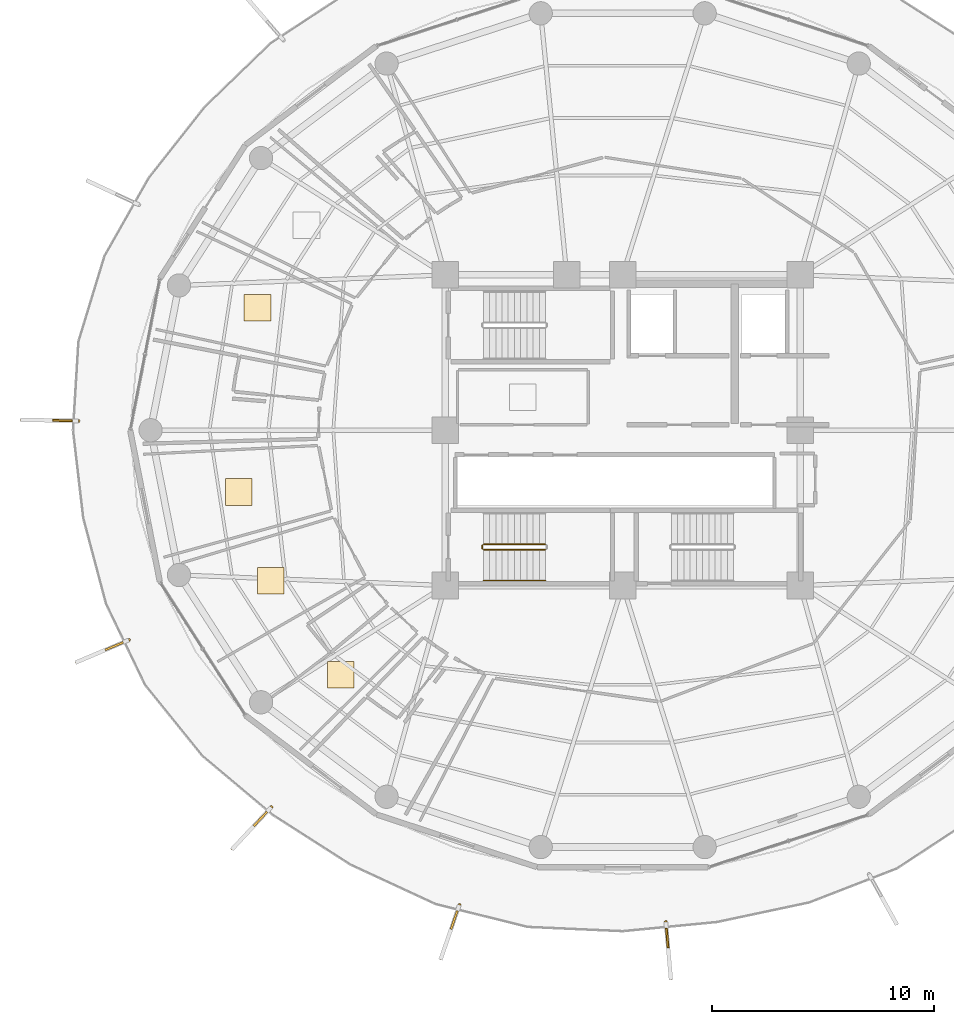
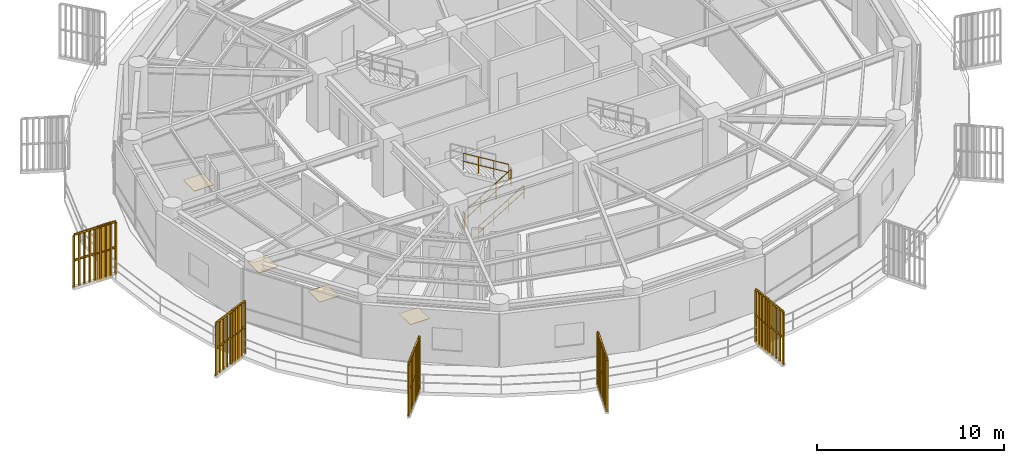
# One storey, part 27 of 30: 9 railings, 5 shading devices, 4 coverings.
"""IFC4 building model written with IfcOpenShell, lengths in metres."""

from ifc_helpers import new_model, si_unit, direction, frame, origin, origin_2d, place, context, subcontext, project, spatial, polyline, rectangle, outline, extrude, source, transform, mapped, material, layer, layer_set, type_object, element, save


model = new_model("IFC4")

# Units and contexts
model_context = context("Model", 3, precision=1e-05, world=origin(), true_north=direction((0.0, 1.0)))
body_context = subcontext(model_context, "Body", "Model", "MODEL_VIEW")
ifc_project = project(units=[si_unit("LENGTHUNIT", "METRE"), si_unit("AREAUNIT", "SQUARE_METRE"), si_unit("VOLUMEUNIT", "CUBIC_METRE"), si_unit("PLANEANGLEUNIT", "RADIAN"), si_unit("MASSUNIT", "GRAM", prefix="KILO")], contexts=[model_context])

# Site, building, storey
site_placement = place(None, origin())
site = spatial("IfcSite", under=ifc_project, at=site_placement, CompositionType="ELEMENT")
building_placement = place(site_placement, origin())
building = spatial("IfcBuilding", under=site, at=building_placement, Name="Kelanora Arch Commons", CompositionType="ELEMENT")
storey_placement = place(building_placement, frame((0.0, 0.0, 204.449951171875)))
storey = spatial("IfcBuildingStorey", under=building, at=storey_placement, Name="L52", CompositionType="ELEMENT", Elevation=204.449951171875)

# Railings
ifc_material_1 = material(Name="Anodised bronze vertical shading fin rib assembly")
railing_type_1 = type_object("IfcRailingType", Name="RAIL-FIN-BRZ", PredefinedType="BALUSTRADE", material=ifc_material_1)
railing_1_placement = place(storey_placement, frame((49.4697265625, 58.421875, -0.02001953125)))
element("IfcRailing", 1, at=railing_1_placement, inside=storey, type_object=railing_type_1, Name="Sweeping Bronze Vertical Fin Blade L52-09", PredefinedType="BALUSTRADE", context=body_context, shape_type="SweptSolid", body=[
    extrude(outline(polyline([(0.06982421875, 0.0), (0.034912109375, 0.060546875), (-0.034912109375, 0.060546875), (-0.06982421875, 0.0), (-0.034912109375, -0.060546875), (0.034912109375, -0.060546875), (0.06982421875, 0.0)])), frame((0.0, 0.0, 3.419921875), z_axis=(-0.999852109527, 0.017197647369, 0.0), x_axis=(-0.017197647369, -0.999852109527, 0.0)), (0.0, 0.0, 1.0), 2.555419921875),
    extrude(outline(polyline([(0.06982421875, 0.0), (0.034912109375, 0.060546875), (-0.034912109375, 0.060546875), (-0.06982421875, 0.0), (-0.034912109375, -0.060546875), (0.034912109375, -0.060546875), (0.06982421875, 0.0)])), frame((0.0, 0.0, 1.7451171875), z_axis=(-0.999852109527, 0.017197647369, 0.0), x_axis=(-0.017197647369, -0.999852109527, 0.0)), (0.0, 0.0, 1.0), 2.555419921875),
    extrude(outline(polyline([(0.080078125, 0.0), (0.0400390625, 0.0693359375), (-0.0400390625, 0.0693359375), (-0.080078125, 0.0), (-0.0400390625, -0.0693359375), (0.0400390625, -0.0693359375), (0.080078125, 0.0)])), origin(), (0.0, 0.0, 1.0), 3.35009765625),
    extrude(outline(polyline([(0.080078125, 0.0), (0.0400390625, 0.0693359375), (-0.0400390625, 0.0693359375), (-0.080078125, 0.0), (-0.0400390625, -0.0693359375), (0.0400390625, -0.0693359375), (0.080078125, 0.0)])), frame((-0.3193359375, 0.00537109375, 0.0)), (0.0, 0.0, 1.0), 3.35009765625),
    extrude(outline(polyline([(0.080078125, 0.0), (0.0400390625, 0.0693359375), (-0.0400390625, 0.0693359375), (-0.080078125, 0.0), (-0.0400390625, -0.0693359375), (0.0400390625, -0.0693359375), (0.080078125, 0.0)])), frame((-0.638671875, 0.010986328125, 0.0)), (0.0, 0.0, 1.0), 3.35009765625),
    extrude(outline(polyline([(0.080078125, 0.0), (0.0400390625, 0.0693359375), (-0.0400390625, 0.0693359375), (-0.080078125, 0.0), (-0.0400390625, -0.0693359375), (0.0400390625, -0.0693359375), (0.080078125, 0.0)])), frame((-0.9580078125, 0.0166015625, 0.0)), (0.0, 0.0, 1.0), 3.35009765625),
    extrude(outline(polyline([(0.080078125, 0.0), (0.0400390625, 0.0693359375), (-0.0400390625, 0.0693359375), (-0.080078125, 0.0), (-0.0400390625, -0.0693359375), (0.0400390625, -0.0693359375), (0.080078125, 0.0)])), frame((-1.27734375, 0.02197265625, 0.0)), (0.0, 0.0, 1.0), 3.35009765625),
    extrude(outline(polyline([(0.080078125, 0.0), (0.0400390625, 0.0693359375), (-0.0400390625, 0.0693359375), (-0.080078125, 0.0), (-0.0400390625, -0.0693359375), (0.0400390625, -0.0693359375), (0.080078125, 0.0)])), frame((-1.596923828125, 0.02734375, 0.0)), (0.0, 0.0, 1.0), 3.35009765625),
    extrude(outline(polyline([(0.080078125, 0.0), (0.0400390625, 0.0693359375), (-0.0400390625, 0.0693359375), (-0.080078125, 0.0), (-0.0400390625, -0.0693359375), (0.0400390625, -0.0693359375), (0.080078125, 0.0)])), frame((-1.916259765625, 0.032958984375, 0.0)), (0.0, 0.0, 1.0), 3.35009765625),
    extrude(outline(polyline([(0.080078125, 0.0), (0.0400390625, 0.0693359375), (-0.0400390625, 0.0693359375), (-0.080078125, 0.0), (-0.0400390625, -0.0693359375), (0.0400390625, -0.0693359375), (0.080078125, 0.0)])), frame((-2.235595703125, 0.03857421875, 0.0)), (0.0, 0.0, 1.0), 3.35009765625),
    extrude(outline(polyline([(0.080078125, 0.0), (0.0400390625, 0.0693359375), (-0.0400390625, 0.0693359375), (-0.080078125, 0.0), (-0.0400390625, -0.0693359375), (0.0400390625, -0.0693359375), (0.080078125, 0.0)])), frame((-2.554931640625, 0.0439453125, 0.0)), (0.0, 0.0, 1.0), 3.35009765625),
])
railing_2_placement = place(storey_placement, frame((51.74267578125, 48.54541015625, -0.02001953125)))
element("IfcRailing", 2, at=railing_2_placement, inside=storey, type_object=railing_type_1, Name="Sweeping Bronze Vertical Fin Blade L52-10", PredefinedType="BALUSTRADE", context=body_context, shape_type="SweptSolid", body=[
    extrude(outline(polyline([(0.06982421875, 0.0), (0.034912109375, 0.060546875), (-0.034912109375, 0.060546875), (-0.06982421875, 0.0), (-0.034912109375, -0.060546875), (0.034912109375, -0.060546875), (0.06982421875, 0.0)])), frame((0.0, 0.0, 3.419921875), z_axis=(-0.920415156853, -0.390942373037, 0.0), x_axis=(0.390942373037, -0.920415156853, 0.0)), (0.0, 0.0, 1.0), 2.555419921875),
    extrude(outline(polyline([(0.06982421875, 0.0), (0.034912109375, 0.060546875), (-0.034912109375, 0.060546875), (-0.06982421875, 0.0), (-0.034912109375, -0.060546875), (0.034912109375, -0.060546875), (0.06982421875, 0.0)])), frame((0.0, 0.0, 1.7451171875), z_axis=(-0.920415156853, -0.390942373037, 0.0), x_axis=(0.390942373037, -0.920415156853, 0.0)), (0.0, 0.0, 1.0), 2.555419921875),
    extrude(outline(polyline([(0.080078125, 0.0), (0.0400390625, 0.0693359375), (-0.0400390625, 0.0693359375), (-0.080078125, 0.0), (-0.0400390625, -0.0693359375), (0.0400390625, -0.0693359375), (0.080078125, 0.0)])), origin(), (0.0, 0.0, 1.0), 3.35009765625),
    extrude(outline(polyline([(0.080078125, 0.0), (0.0400390625, 0.0693359375), (-0.0400390625, 0.0693359375), (-0.080078125, 0.0), (-0.0400390625, -0.0693359375), (0.0400390625, -0.0693359375), (0.080078125, 0.0)])), frame((-0.2939453125, -0.125, 0.0)), (0.0, 0.0, 1.0), 3.35009765625),
    extrude(outline(polyline([(0.080078125, 0.0), (0.0400390625, 0.0693359375), (-0.0400390625, 0.0693359375), (-0.080078125, 0.0), (-0.0400390625, -0.0693359375), (0.0400390625, -0.0693359375), (0.080078125, 0.0)])), frame((-0.587890625, -0.249755859375, 0.0)), (0.0, 0.0, 1.0), 3.35009765625),
    extrude(outline(polyline([(0.080078125, 0.0), (0.0400390625, 0.0693359375), (-0.0400390625, 0.0693359375), (-0.080078125, 0.0), (-0.0400390625, -0.0693359375), (0.0400390625, -0.0693359375), (0.080078125, 0.0)])), frame((-0.882080078125, -0.37451171875, 0.0)), (0.0, 0.0, 1.0), 3.35009765625),
    extrude(outline(polyline([(0.080078125, 0.0), (0.0400390625, 0.0693359375), (-0.0400390625, 0.0693359375), (-0.080078125, 0.0), (-0.0400390625, -0.0693359375), (0.0400390625, -0.0693359375), (0.080078125, 0.0)])), frame((-1.176025390625, -0.49951171875, 0.0)), (0.0, 0.0, 1.0), 3.35009765625),
    extrude(outline(polyline([(0.080078125, 0.0), (0.0400390625, 0.0693359375), (-0.0400390625, 0.0693359375), (-0.080078125, 0.0), (-0.0400390625, -0.0693359375), (0.0400390625, -0.0693359375), (0.080078125, 0.0)])), frame((-1.469970703125, -0.62451171875, 0.0)), (0.0, 0.0, 1.0), 3.35009765625),
    extrude(outline(polyline([(0.080078125, 0.0), (0.0400390625, 0.0693359375), (-0.0400390625, 0.0693359375), (-0.080078125, 0.0), (-0.0400390625, -0.0693359375), (0.0400390625, -0.0693359375), (0.080078125, 0.0)])), frame((-1.76416015625, -0.749267578125, 0.0)), (0.0, 0.0, 1.0), 3.35009765625),
    extrude(outline(polyline([(0.080078125, 0.0), (0.0400390625, 0.0693359375), (-0.0400390625, 0.0693359375), (-0.080078125, 0.0), (-0.0400390625, -0.0693359375), (0.0400390625, -0.0693359375), (0.080078125, 0.0)])), frame((-2.05810546875, -0.8740234375, 0.0)), (0.0, 0.0, 1.0), 3.35009765625),
    extrude(outline(polyline([(0.080078125, 0.0), (0.0400390625, 0.0693359375), (-0.0400390625, 0.0693359375), (-0.080078125, 0.0), (-0.0400390625, -0.0693359375), (0.0400390625, -0.0693359375), (0.080078125, 0.0)])), frame((-2.35205078125, -0.9990234375, 0.0)), (0.0, 0.0, 1.0), 3.35009765625),
])
railing_3_placement = place(storey_placement, frame((58.1611328125, 41.006103515625, -0.02001953125)))
element("IfcRailing", 3, at=railing_3_placement, inside=storey, type_object=railing_type_1, Name="Sweeping Bronze Vertical Fin Blade L52-11", PredefinedType="BALUSTRADE", context=body_context, shape_type="SweptSolid", body=[
    extrude(outline(polyline([(0.06982421875, 0.0), (0.034912109375, 0.060546875), (-0.034912109375, 0.060546875), (-0.06982421875, 0.0), (-0.034912109375, -0.060546875), (0.034912109375, -0.060546875), (0.06982421875, 0.0)])), frame((0.0, 0.0, 3.419921875), z_axis=(-0.681831348549, -0.731509406731, 0.0), x_axis=(0.731509406731, -0.681831348549, 0.0)), (0.0, 0.0, 1.0), 2.555419921875),
    extrude(outline(polyline([(0.06982421875, 0.0), (0.034912109375, 0.060546875), (-0.034912109375, 0.060546875), (-0.06982421875, 0.0), (-0.034912109375, -0.060546875), (0.034912109375, -0.060546875), (0.06982421875, 0.0)])), frame((0.0, 0.0, 1.7451171875), z_axis=(-0.681831348549, -0.731509406731, 0.0), x_axis=(0.731509406731, -0.681831348549, 0.0)), (0.0, 0.0, 1.0), 2.555419921875),
    extrude(outline(polyline([(0.080078125, 0.0), (0.0400390625, 0.0693359375), (-0.0400390625, 0.0693359375), (-0.080078125, 0.0), (-0.0400390625, -0.0693359375), (0.0400390625, -0.0693359375), (0.080078125, 0.0)])), origin(), (0.0, 0.0, 1.0), 3.35009765625),
    extrude(outline(polyline([(0.080078125, 0.0), (0.0400390625, 0.0693359375), (-0.0400390625, 0.0693359375), (-0.080078125, 0.0), (-0.0400390625, -0.0693359375), (0.0400390625, -0.0693359375), (0.080078125, 0.0)])), frame((-0.2177734375, -0.233642578125, 0.0)), (0.0, 0.0, 1.0), 3.35009765625),
    extrude(outline(polyline([(0.080078125, 0.0), (0.0400390625, 0.0693359375), (-0.0400390625, 0.0693359375), (-0.080078125, 0.0), (-0.0400390625, -0.0693359375), (0.0400390625, -0.0693359375), (0.080078125, 0.0)])), frame((-0.435546875, -0.46728515625, 0.0)), (0.0, 0.0, 1.0), 3.35009765625),
    extrude(outline(polyline([(0.080078125, 0.0), (0.0400390625, 0.0693359375), (-0.0400390625, 0.0693359375), (-0.080078125, 0.0), (-0.0400390625, -0.0693359375), (0.0400390625, -0.0693359375), (0.080078125, 0.0)])), frame((-0.6533203125, -0.700927734375, 0.0)), (0.0, 0.0, 1.0), 3.35009765625),
    extrude(outline(polyline([(0.080078125, 0.0), (0.0400390625, 0.0693359375), (-0.0400390625, 0.0693359375), (-0.080078125, 0.0), (-0.0400390625, -0.0693359375), (0.0400390625, -0.0693359375), (0.080078125, 0.0)])), frame((-0.87109375, -0.9345703125, 0.0)), (0.0, 0.0, 1.0), 3.35009765625),
    extrude(outline(polyline([(0.080078125, 0.0), (0.0400390625, 0.0693359375), (-0.0400390625, 0.0693359375), (-0.080078125, 0.0), (-0.0400390625, -0.0693359375), (0.0400390625, -0.0693359375), (0.080078125, 0.0)])), frame((-1.089111328125, -1.16845703125, 0.0)), (0.0, 0.0, 1.0), 3.35009765625),
    extrude(outline(polyline([(0.080078125, 0.0), (0.0400390625, 0.0693359375), (-0.0400390625, 0.0693359375), (-0.080078125, 0.0), (-0.0400390625, -0.0693359375), (0.0400390625, -0.0693359375), (0.080078125, 0.0)])), frame((-1.306884765625, -1.402099609375, 0.0)), (0.0, 0.0, 1.0), 3.35009765625),
    extrude(outline(polyline([(0.080078125, 0.0), (0.0400390625, 0.0693359375), (-0.0400390625, 0.0693359375), (-0.080078125, 0.0), (-0.0400390625, -0.0693359375), (0.0400390625, -0.0693359375), (0.080078125, 0.0)])), frame((-1.524658203125, -1.6357421875, 0.0)), (0.0, 0.0, 1.0), 3.35009765625),
    extrude(outline(polyline([(0.080078125, 0.0), (0.0400390625, 0.0693359375), (-0.0400390625, 0.0693359375), (-0.080078125, 0.0), (-0.0400390625, -0.0693359375), (0.0400390625, -0.0693359375), (0.080078125, 0.0)])), frame((-1.742431640625, -1.869384765625, 0.0)), (0.0, 0.0, 1.0), 3.35009765625),
])
railing_4_placement = place(storey_placement, frame((66.6396484375, 36.60595703125, -0.02001953125)))
element("IfcRailing", 4, at=railing_4_placement, inside=storey, type_object=railing_type_1, Name="Sweeping Bronze Vertical Fin Blade L52-12", PredefinedType="BALUSTRADE", context=body_context, shape_type="SweptSolid", body=[
    extrude(outline(polyline([(0.06982421875, 0.0), (0.034912109375, 0.060546875), (-0.034912109375, 0.060546875), (-0.06982421875, 0.0), (-0.034912109375, -0.060546875), (0.034912109375, -0.060546875), (0.06982421875, 0.0)])), frame((0.0, 0.0, 3.419921875), z_axis=(-0.325298699013, -0.945611313606, 0.0), x_axis=(0.945611313606, -0.325298699013, 0.0)), (0.0, 0.0, 1.0), 2.555419921875),
    extrude(outline(polyline([(0.06982421875, 0.0), (0.034912109375, 0.060546875), (-0.034912109375, 0.060546875), (-0.06982421875, 0.0), (-0.034912109375, -0.060546875), (0.034912109375, -0.060546875), (0.06982421875, 0.0)])), frame((0.0, 0.0, 1.7451171875), z_axis=(-0.325298699013, -0.945611313606, 0.0), x_axis=(0.945611313606, -0.325298699013, 0.0)), (0.0, 0.0, 1.0), 2.555419921875),
    extrude(outline(polyline([(0.080078125, 0.0), (0.0400390625, 0.0693359375), (-0.0400390625, 0.0693359375), (-0.080078125, 0.0), (-0.0400390625, -0.0693359375), (0.0400390625, -0.0693359375), (0.080078125, 0.0)])), origin(), (0.0, 0.0, 1.0), 3.35009765625),
    extrude(outline(polyline([(0.080078125, 0.0), (0.0400390625, 0.0693359375), (-0.0400390625, 0.0693359375), (-0.080078125, 0.0), (-0.0400390625, -0.0693359375), (0.0400390625, -0.0693359375), (0.080078125, 0.0)])), frame((-0.10400390625, -0.302001953125, 0.0)), (0.0, 0.0, 1.0), 3.35009765625),
    extrude(outline(polyline([(0.080078125, 0.0), (0.0400390625, 0.0693359375), (-0.0400390625, 0.0693359375), (-0.080078125, 0.0), (-0.0400390625, -0.0693359375), (0.0400390625, -0.0693359375), (0.080078125, 0.0)])), frame((-0.207763671875, -0.60400390625, 0.0)), (0.0, 0.0, 1.0), 3.35009765625),
    extrude(outline(polyline([(0.080078125, 0.0), (0.0400390625, 0.0693359375), (-0.0400390625, 0.0693359375), (-0.080078125, 0.0), (-0.0400390625, -0.0693359375), (0.0400390625, -0.0693359375), (0.080078125, 0.0)])), frame((-0.311767578125, -0.90625, 0.0)), (0.0, 0.0, 1.0), 3.35009765625),
    extrude(outline(polyline([(0.080078125, 0.0), (0.0400390625, 0.0693359375), (-0.0400390625, 0.0693359375), (-0.080078125, 0.0), (-0.0400390625, -0.0693359375), (0.0400390625, -0.0693359375), (0.080078125, 0.0)])), frame((-0.41552734375, -1.208251953125, 0.0)), (0.0, 0.0, 1.0), 3.35009765625),
    extrude(outline(polyline([(0.080078125, 0.0), (0.0400390625, 0.0693359375), (-0.0400390625, 0.0693359375), (-0.080078125, 0.0), (-0.0400390625, -0.0693359375), (0.0400390625, -0.0693359375), (0.080078125, 0.0)])), frame((-0.51953125, -1.51025390625, 0.0)), (0.0, 0.0, 1.0), 3.35009765625),
    extrude(outline(polyline([(0.080078125, 0.0), (0.0400390625, 0.0693359375), (-0.0400390625, 0.0693359375), (-0.080078125, 0.0), (-0.0400390625, -0.0693359375), (0.0400390625, -0.0693359375), (0.080078125, 0.0)])), frame((-0.62353515625, -1.8125, 0.0)), (0.0, 0.0, 1.0), 3.35009765625),
    extrude(outline(polyline([(0.080078125, 0.0), (0.0400390625, 0.0693359375), (-0.0400390625, 0.0693359375), (-0.080078125, 0.0), (-0.0400390625, -0.0693359375), (0.0400390625, -0.0693359375), (0.080078125, 0.0)])), frame((-0.727294921875, -2.114501953125, 0.0)), (0.0, 0.0, 1.0), 3.35009765625),
    extrude(outline(polyline([(0.080078125, 0.0), (0.0400390625, 0.0693359375), (-0.0400390625, 0.0693359375), (-0.080078125, 0.0), (-0.0400390625, -0.0693359375), (0.0400390625, -0.0693359375), (0.080078125, 0.0)])), frame((-0.831298828125, -2.41650390625, 0.0)), (0.0, 0.0, 1.0), 3.35009765625),
])
railing_5_placement = place(storey_placement, frame((75.945068359375, 35.833740234375, -0.02001953125)))
element("IfcRailing", 5, at=railing_5_placement, inside=storey, type_object=railing_type_1, Name="Sweeping Bronze Vertical Fin Blade L52-13", PredefinedType="BALUSTRADE", context=body_context, shape_type="SweptSolid", body=[
    extrude(outline(polyline([(0.06982421875, 0.0), (0.034912109375, 0.060546875), (-0.034912109375, 0.060546875), (-0.06982421875, 0.0), (-0.034912109375, -0.060546875), (0.034912109375, -0.060546875), (0.06982421875, 0.0)])), frame((0.0, 0.0, 3.419921875), z_axis=(0.087417013702, -0.99617180532, 0.0), x_axis=(0.99617180532, 0.087417013702, 0.0)), (0.0, 0.0, 1.0), 2.555419921875),
    extrude(outline(polyline([(0.06982421875, 0.0), (0.034912109375, 0.060546875), (-0.034912109375, 0.060546875), (-0.06982421875, 0.0), (-0.034912109375, -0.060546875), (0.034912109375, -0.060546875), (0.06982421875, 0.0)])), frame((0.0, 0.0, 1.7451171875), z_axis=(0.087417013702, -0.99617180532, 0.0), x_axis=(0.99617180532, 0.087417013702, 0.0)), (0.0, 0.0, 1.0), 2.555419921875),
    extrude(outline(polyline([(0.080078125, 0.0), (0.0400390625, 0.0693359375), (-0.0400390625, 0.0693359375), (-0.080078125, 0.0), (-0.0400390625, -0.0693359375), (0.0400390625, -0.0693359375), (0.080078125, 0.0)])), origin(), (0.0, 0.0, 1.0), 3.35009765625),
    extrude(outline(polyline([(0.080078125, 0.0), (0.0400390625, 0.0693359375), (-0.0400390625, 0.0693359375), (-0.080078125, 0.0), (-0.0400390625, -0.0693359375), (0.0400390625, -0.0693359375), (0.080078125, 0.0)])), frame((0.02783203125, -0.318115234375, 0.0)), (0.0, 0.0, 1.0), 3.35009765625),
    extrude(outline(polyline([(0.080078125, 0.0), (0.0400390625, 0.0693359375), (-0.0400390625, 0.0693359375), (-0.080078125, 0.0), (-0.0400390625, -0.0693359375), (0.0400390625, -0.0693359375), (0.080078125, 0.0)])), frame((0.055908203125, -0.636474609375, 0.0)), (0.0, 0.0, 1.0), 3.35009765625),
    extrude(outline(polyline([(0.080078125, 0.0), (0.0400390625, 0.0693359375), (-0.0400390625, 0.0693359375), (-0.080078125, 0.0), (-0.0400390625, -0.0693359375), (0.0400390625, -0.0693359375), (0.080078125, 0.0)])), frame((0.083740234375, -0.95458984375, 0.0)), (0.0, 0.0, 1.0), 3.35009765625),
    extrude(outline(polyline([(0.080078125, 0.0), (0.0400390625, 0.0693359375), (-0.0400390625, 0.0693359375), (-0.080078125, 0.0), (-0.0400390625, -0.0693359375), (0.0400390625, -0.0693359375), (0.080078125, 0.0)])), frame((0.11181640625, -1.27294921875, 0.0)), (0.0, 0.0, 1.0), 3.35009765625),
    extrude(outline(polyline([(0.080078125, 0.0), (0.0400390625, 0.0693359375), (-0.0400390625, 0.0693359375), (-0.080078125, 0.0), (-0.0400390625, -0.0693359375), (0.0400390625, -0.0693359375), (0.080078125, 0.0)])), frame((0.1396484375, -1.591064453125, 0.0)), (0.0, 0.0, 1.0), 3.35009765625),
    extrude(outline(polyline([(0.080078125, 0.0), (0.0400390625, 0.0693359375), (-0.0400390625, 0.0693359375), (-0.080078125, 0.0), (-0.0400390625, -0.0693359375), (0.0400390625, -0.0693359375), (0.080078125, 0.0)])), frame((0.16748046875, -1.9091796875, 0.0)), (0.0, 0.0, 1.0), 3.35009765625),
    extrude(outline(polyline([(0.080078125, 0.0), (0.0400390625, 0.0693359375), (-0.0400390625, 0.0693359375), (-0.080078125, 0.0), (-0.0400390625, -0.0693359375), (0.0400390625, -0.0693359375), (0.080078125, 0.0)])), frame((0.195556640625, -2.2275390625, 0.0)), (0.0, 0.0, 1.0), 3.35009765625),
    extrude(outline(polyline([(0.080078125, 0.0), (0.0400390625, 0.0693359375), (-0.0400390625, 0.0693359375), (-0.080078125, 0.0), (-0.0400390625, -0.0693359375), (0.0400390625, -0.0693359375), (0.080078125, 0.0)])), frame((0.223388671875, -2.545654296875, 0.0)), (0.0, 0.0, 1.0), 3.35009765625),
])
ifc_material_2 = material(Name="Painted steel stair well guard", Category="steel")
railing_type_2 = type_object("IfcRailingType", Name="RAIL-STAIR-GRD", PredefinedType="GUARDRAIL", material=ifc_material_2)
railing_6_placement = place(storey_placement, frame((67.719970703125, 52.610107421875, 0.17041015625)))
element("IfcRailing", 6, at=railing_6_placement, inside=storey, type_object=railing_type_2, Name="L52 ST-T3 stair guard 1", PredefinedType="GUARDRAIL", context=body_context, shape_type="SweptSolid", body=[
    extrude(outline(polyline([(0.02392578125, 0.0), (0.011962890625, 0.020751953125), (-0.011962890625, 0.020751953125), (-0.02392578125, 0.0), (-0.011962890625, -0.020751953125), (0.011962890625, -0.020751953125), (0.02392578125, 0.0)])), frame((0.0, 0.0, 1.076171875), z_axis=(0.854169791009, 0.0, 0.51999420009), x_axis=(0.0, 1.0, 0.0)), (0.0, 0.0, 1.0), 3.278076171875),
    extrude(outline(polyline([(0.02392578125, 0.0), (0.011962890625, 0.020751953125), (-0.011962890625, 0.020751953125), (-0.02392578125, 0.0), (-0.011962890625, -0.020751953125), (0.011962890625, -0.020751953125), (0.02392578125, 0.0)])), frame((0.0, 0.0, 0.550048828125), z_axis=(0.854169791009, 0.0, 0.51999420009), x_axis=(0.0, 1.0, 0.0)), (0.0, 0.0, 1.0), 3.278076171875),
    extrude(outline(polyline([(0.02099609375, 0.0), (0.010498046875, 0.01806640625), (-0.010498046875, 0.01806640625), (-0.02099609375, 0.0), (-0.010498046875, -0.01806640625), (0.010498046875, -0.01806640625), (0.02099609375, 0.0)])), origin(), (0.0, 0.0, 1.0), 1.052001953125),
    extrude(outline(polyline([(0.02099609375, 0.0), (0.010498046875, 0.01806640625), (-0.010498046875, 0.01806640625), (-0.02099609375, 0.0), (-0.010498046875, -0.01806640625), (0.010498046875, -0.01806640625), (0.02099609375, 0.0)])), frame((0.933349609375, 0.0, 0.568115234375)), (0.0, 0.0, 1.0), 1.052001953125),
    extrude(outline(polyline([(0.02099609375, 0.0), (0.010498046875, 0.01806640625), (-0.010498046875, 0.01806640625), (-0.02099609375, 0.0), (-0.010498046875, -0.01806640625), (0.010498046875, -0.01806640625), (0.02099609375, 0.0)])), frame((1.86669921875, 0.0, 1.136474609375)), (0.0, 0.0, 1.0), 1.052001953125),
    extrude(outline(polyline([(0.02099609375, 0.0), (0.010498046875, 0.01806640625), (-0.010498046875, 0.01806640625), (-0.02099609375, 0.0), (-0.010498046875, -0.01806640625), (0.010498046875, -0.01806640625), (0.02099609375, 0.0)])), frame((2.800048828125, 0.0, 1.70458984375)), (0.0, 0.0, 1.0), 1.052001953125),
])
railing_7_placement = place(storey_placement, frame((70.52001953125, 52.860107421875, 2.04541015625)))
element("IfcRailing", 7, at=railing_7_placement, inside=storey, type_object=railing_type_2, Name="L52 ST-T3 stair guard 3", PredefinedType="GUARDRAIL", context=body_context, shape_type="SweptSolid", body=[
    extrude(outline(polyline([(0.02392578125, 0.0), (0.011962890625, 0.020751953125), (-0.011962890625, 0.020751953125), (-0.02392578125, 0.0), (-0.011962890625, -0.020751953125), (0.011962890625, -0.020751953125), (0.02392578125, 0.0)])), frame((0.0, 0.0, 1.076171875), z_axis=(-0.854169791009, 0.0, 0.51999420009), x_axis=(0.0, -1.0, 0.0)), (0.0, 0.0, 1.0), 3.278076171875),
    extrude(outline(polyline([(0.02392578125, 0.0), (0.011962890625, 0.020751953125), (-0.011962890625, 0.020751953125), (-0.02392578125, 0.0), (-0.011962890625, -0.020751953125), (0.011962890625, -0.020751953125), (0.02392578125, 0.0)])), frame((0.0, 0.0, 0.550048828125), z_axis=(-0.854169791009, 0.0, 0.51999420009), x_axis=(0.0, -1.0, 0.0)), (0.0, 0.0, 1.0), 3.278076171875),
    extrude(outline(polyline([(0.02099609375, 0.0), (0.010498046875, 0.01806640625), (-0.010498046875, 0.01806640625), (-0.02099609375, 0.0), (-0.010498046875, -0.01806640625), (0.010498046875, -0.01806640625), (0.02099609375, 0.0)])), origin(), (0.0, 0.0, 1.0), 1.052001953125),
    extrude(outline(polyline([(0.02099609375, 0.0), (0.010498046875, 0.01806640625), (-0.010498046875, 0.01806640625), (-0.02099609375, 0.0), (-0.010498046875, -0.01806640625), (0.010498046875, -0.01806640625), (0.02099609375, 0.0)])), frame((-0.933349609375, 0.0, 0.568115234375)), (0.0, 0.0, 1.0), 1.052001953125),
    extrude(outline(polyline([(0.02099609375, 0.0), (0.010498046875, 0.01806640625), (-0.010498046875, 0.01806640625), (-0.02099609375, 0.0), (-0.010498046875, -0.01806640625), (0.010498046875, -0.01806640625), (0.02099609375, 0.0)])), frame((-1.86669921875, 0.0, 1.136474609375)), (0.0, 0.0, 1.0), 1.052001953125),
    extrude(outline(polyline([(0.02099609375, 0.0), (0.010498046875, 0.01806640625), (-0.010498046875, 0.01806640625), (-0.02099609375, 0.0), (-0.010498046875, -0.01806640625), (0.010498046875, -0.01806640625), (0.02099609375, 0.0)])), frame((-2.800048828125, 0.0, 1.70458984375)), (0.0, 0.0, 1.0), 1.052001953125),
])
railing_8_placement = place(storey_placement, frame((67.669921875, 52.659912109375, 0.0)))
element("IfcRailing", 8, at=railing_8_placement, inside=storey, type_object=railing_type_2, Name="L52 ST-T3 stair guard 4", PredefinedType="GUARDRAIL", context=body_context, shape_type="SweptSolid", body=[
    extrude(outline(polyline([(0.02392578125, 0.0), (0.011962890625, 0.020751953125), (-0.011962890625, 0.020751953125), (-0.02392578125, 0.0), (-0.011962890625, -0.020751953125), (0.011962890625, -0.020751953125), (0.02392578125, 0.0)])), frame((0.0, 0.0, 1.076171875), z_axis=(0.0, 1.0, 0.0), x_axis=(-1.0, 0.0, 0.0)), (0.0, 0.0, 1.0), 0.150146484375),
    extrude(outline(polyline([(0.02392578125, 0.0), (0.011962890625, 0.020751953125), (-0.011962890625, 0.020751953125), (-0.02392578125, 0.0), (-0.011962890625, -0.020751953125), (0.011962890625, -0.020751953125), (0.02392578125, 0.0)])), frame((0.0, 0.0, 0.550048828125), z_axis=(0.0, 1.0, 0.0), x_axis=(-1.0, 0.0, 0.0)), (0.0, 0.0, 1.0), 0.150146484375),
    extrude(outline(polyline([(0.02099609375, 0.0), (0.010498046875, 0.01806640625), (-0.010498046875, 0.01806640625), (-0.02099609375, 0.0), (-0.010498046875, -0.01806640625), (0.010498046875, -0.01806640625), (0.02099609375, 0.0)])), origin(), (0.0, 0.0, 1.0), 1.052001953125),
    extrude(outline(polyline([(0.02099609375, 0.0), (0.010498046875, 0.01806640625), (-0.010498046875, 0.01806640625), (-0.02099609375, 0.0), (-0.010498046875, -0.01806640625), (0.010498046875, -0.01806640625), (0.02099609375, 0.0)])), frame((0.0, 0.150146484375, 0.0)), (0.0, 0.0, 1.0), 1.052001953125),
])
ifc_material_3 = material(Name="Brushed stainless steel stair handrail", Category="steel")
railing_type_3 = type_object("IfcRailingType", Name="RAIL-STAIR-HND", PredefinedType="HANDRAIL", material=ifc_material_3)
railing_9_placement = place(storey_placement, frame((67.719970703125, 51.22998046875, 0.17041015625)))
element("IfcRailing", 9, at=railing_9_placement, inside=storey, type_object=railing_type_3, Name="L52 ST-T3 stair handrail 1", PredefinedType="HANDRAIL", context=body_context, shape_type="SweptSolid", body=[
    extrude(outline(polyline([(0.02392578125, 0.0), (0.011962890625, 0.020751953125), (-0.011962890625, 0.020751953125), (-0.02392578125, 0.0), (-0.011962890625, -0.020751953125), (0.011962890625, -0.020751953125), (0.02392578125, 0.0)])), frame((0.0, 0.0, 0.8759765625), z_axis=(0.854169791009, 0.0, 0.51999420009), x_axis=(0.0, 1.0, 0.0)), (0.0, 0.0, 1.0), 3.278076171875),
    extrude(outline(polyline([(0.02392578125, 0.0), (0.011962890625, 0.020751953125), (-0.011962890625, 0.020751953125), (-0.02392578125, 0.0), (-0.011962890625, -0.020751953125), (0.011962890625, -0.020751953125), (0.02392578125, 0.0)])), frame((0.0, 0.0, 0.449951171875), z_axis=(0.854169791009, 0.0, 0.51999420009), x_axis=(0.0, 1.0, 0.0)), (0.0, 0.0, 1.0), 3.278076171875),
    extrude(outline(polyline([(0.02099609375, 0.0), (0.010498046875, 0.01806640625), (-0.010498046875, 0.01806640625), (-0.02099609375, 0.0), (-0.010498046875, -0.01806640625), (0.010498046875, -0.01806640625), (0.02099609375, 0.0)])), origin(), (0.0, 0.0, 1.0), 0.851806640625),
    extrude(outline(polyline([(0.02099609375, 0.0), (0.010498046875, 0.01806640625), (-0.010498046875, 0.01806640625), (-0.02099609375, 0.0), (-0.010498046875, -0.01806640625), (0.010498046875, -0.01806640625), (0.02099609375, 0.0)])), frame((0.933349609375, 0.0, 0.568115234375)), (0.0, 0.0, 1.0), 0.851806640625),
    extrude(outline(polyline([(0.02099609375, 0.0), (0.010498046875, 0.01806640625), (-0.010498046875, 0.01806640625), (-0.02099609375, 0.0), (-0.010498046875, -0.01806640625), (0.010498046875, -0.01806640625), (0.02099609375, 0.0)])), frame((1.86669921875, 0.0, 1.136474609375)), (0.0, 0.0, 1.0), 0.851806640625),
    extrude(outline(polyline([(0.02099609375, 0.0), (0.010498046875, 0.01806640625), (-0.010498046875, 0.01806640625), (-0.02099609375, 0.0), (-0.010498046875, -0.01806640625), (0.010498046875, -0.01806640625), (0.02099609375, 0.0)])), frame((2.800048828125, 0.0, 1.70458984375)), (0.0, 0.0, 1.0), 0.851806640625),
])

# Shading devices
ifc_material_4 = material(Name="Terracotta ceramic-clad extruded aluminium fin", Category="masonry")
shading_device_type = type_object("IfcShadingDeviceType", Name="SHD-FIN-FLARE", PredefinedType="USERDEFINED", material=ifc_material_4)
shared_shape_1 = source(origin(), body_context, "Body", "SweptSolid", [
    extrude(rectangle(XDim=0.8798828125, YDim=0.090087890625, at=origin_2d()), origin(), (0.0, 0.0, 1.0), 3.610107421875),
])
for number, where, z_axis, x_axis, name in (
    (10, (48.75, 58.43408203125, -0.14013671875), (0.0, 0.0, 1.0), (-0.999850725947, 0.017277899829, 0.0), "Sweeping Terracotta Fin L52-09"),
    (11, (51.080078125, 48.263916015625, -0.14013671875), (0.0, 0.0, 1.0), (-0.920436643986, -0.390891780942, 0.0), "Sweeping Terracotta Fin L52-10"),
    (12, (57.67041015625, 40.479248046875, -0.14013671875), (0.0, 0.0, 1.0), (-0.681870704375, -0.731472721648, 0.0), "Sweeping Terracotta Fin L52-11"),
    (13, (66.405517578125, 35.925048828125, -0.14013671875), (0.0, 0.0, 1.0), (-0.325403125376, -0.94557538356, 0.0), "Sweeping Terracotta Fin L52-12"),
    (14, (76.008056640625, 35.11669921875, -0.14013671875), (0.0, 0.0, 1.0), (0.087329610194, -0.996179471372, 0.0), "Sweeping Terracotta Fin L52-13"),
):
    element("IfcShadingDevice", number, at=place(storey_placement, frame(where, z_axis=z_axis, x_axis=x_axis)), inside=storey, type_object=shading_device_type, Name=name, ObjectType="FIN", PredefinedType="USERDEFINED", context=body_context, shape_type="MappedRepresentation", body=[
        mapped(shared_shape_1, transform((0.0, 0.0, 0.0), scale=1.0)),
    ])

# Coverings
ifc_material_5 = material(Name="Polished local granite terrazzo flooring", Category="masonry")
ifc_layer = layer(ifc_material_5, 0.030029296875)
ifc_layer_set = layer_set([ifc_layer], Name="Polished local granite terrazzo flooring")
covering_type = type_object("IfcCoveringType", Name="COV-FLR-TER", PredefinedType="FLOORING", material=ifc_layer_set)
shared_shape_2 = source(origin(), body_context, "Body", "SweptSolid", [
    extrude(rectangle(XDim=1.199951171875, YDim=1.199951171875, at=origin_2d()), origin(), (0.0, 0.0, 1.0), 0.030029296875),
])
for number, where, z_axis, x_axis, name in (
    (15, (57.537353515625, 63.52587890625, 0.0), (0.0, 0.0, 1.0), (1.0, 0.0, 0.0), "Quiet Seminar Study Room L52-03 Terrazzo Finish"),
    (16, (56.701416015625, 55.214599609375, 0.0), (0.0, 0.0, 1.0), (1.0, 0.0, 0.0), "Shared Cluster Kitchen L52-05 Terrazzo Finish"),
    (17, (58.1357421875, 51.20654296875, 0.0), (0.0, 0.0, 1.0), (1.0, 0.0, 0.0), "Social Sky Lounge L52-06 Terrazzo Finish"),
    (18, (61.297119140625, 46.969970703125, 0.0), (0.0, 0.0, 1.0), (1.0, 0.0, 0.0), "Tutorial Study Alcove L52-07 Terrazzo Finish"),
):
    element("IfcCovering", number, at=place(storey_placement, frame(where, z_axis=z_axis, x_axis=x_axis)), inside=storey, type_object=covering_type, Name=name, PredefinedType="FLOORING", context=body_context, shape_type="MappedRepresentation", body=[
        mapped(shared_shape_2, transform((0.0, 0.0, 0.0), scale=1.0)),
    ])

save(model, "model.ifc")
